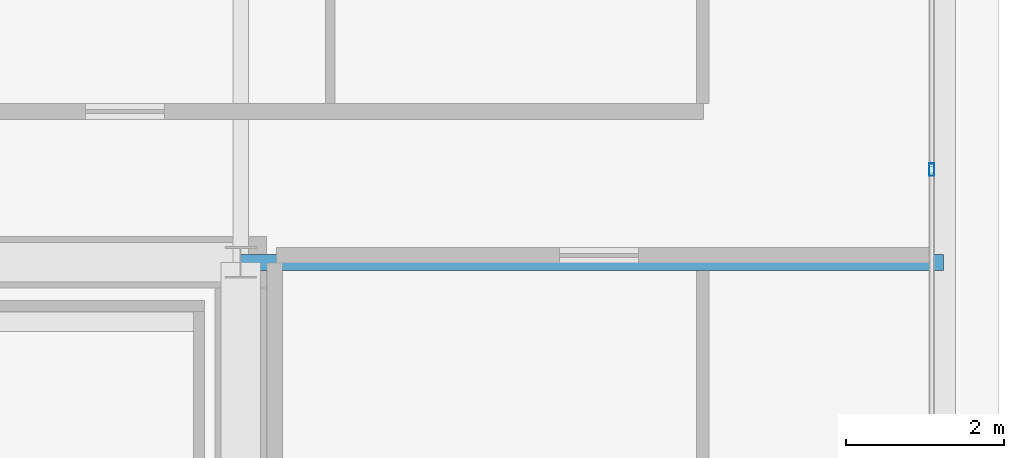
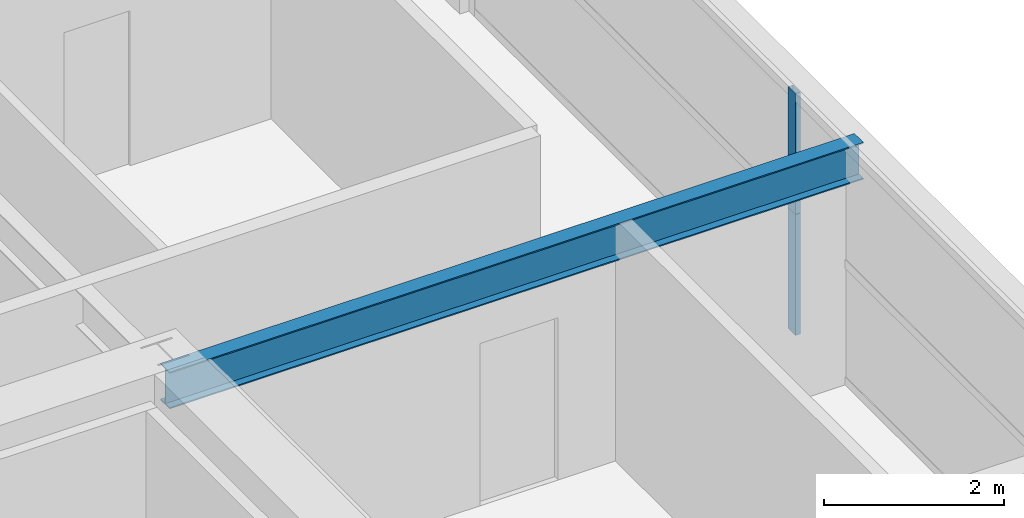
# One storey, part 28 of 45: 2 members, 1 beam, 1 element without a shape of its own.
"""IFC4 building model written with IfcOpenShell, lengths in metres."""

from ifc_helpers import new_model, si_unit, direction, frame, origin, origin_2d, place, context, subcontext, project, spatial, hollow_rectangle, i_section, extrude, source, transform, mapped, material, layer, layer_set, material_profile, profile_set, type_object, element, aggregate, save


model = new_model("IFC4")

# Units and contexts
model_context = context("Model", 3, precision=1e-05, world=origin(), true_north=direction((0.0, 1.0)))
body_context = subcontext(model_context, "Body", "Model", "MODEL_VIEW")
ifc_project = project(units=[si_unit("LENGTHUNIT", "METRE"), si_unit("AREAUNIT", "SQUARE_METRE"), si_unit("VOLUMEUNIT", "CUBIC_METRE"), si_unit("PLANEANGLEUNIT", "RADIAN"), si_unit("MASSUNIT", "GRAM", prefix="KILO"), si_unit("THERMODYNAMICTEMPERATUREUNIT", "KELVIN"), si_unit("POWERUNIT", "WATT")], contexts=[model_context])

# Site, building, storey
site_placement = place(None, origin())
site = spatial("IfcSite", under=ifc_project, at=site_placement, CompositionType="ELEMENT")
building_placement = place(site_placement, origin())
building = spatial("IfcBuilding", under=site, at=building_placement, Name="Yuzanri Waterfront Tower", CompositionType="ELEMENT")
storey_placement = place(building_placement, frame((0.0, 0.0, 212.5)))
storey = spatial("IfcBuildingStorey", under=building, at=storey_placement, Name="L56", CompositionType="ELEMENT", Elevation=212.5)

# Beam
ifc_material_1 = material(Name="Steel Q355B", Category="steel")
ifc_material_profile_1 = material_profile(ifc_material_1, i_section(OverallWidth=0.199951171875, OverallDepth=0.5, WebThickness=0.010009765625, FlangeThickness=0.01611328125, at=origin_2d()), Name="HN 500x200x10x16")
ifc_profile_set_1 = profile_set([ifc_material_profile_1], Name="Steel Q355B")
beam_type = type_object("IfcBeamType", Name="Secondary Floor Beam Q355B HN 500x200", PredefinedType="BEAM", material=ifc_profile_set_1)
shared_shape_1 = source(origin(), body_context, "Body", "SweptSolid", [
    extrude(i_section(OverallWidth=0.199951171875, OverallDepth=0.5, WebThickness=0.010009765625, FlangeThickness=0.01611328125, at=origin_2d()), origin(), (0.0, 0.0, 1.0), 8.900146484375),
])
beam_placement = place(storey_placement, frame((50.199951171875, 32.199951171875, 3.030029296875), z_axis=(1.0, 0.0, 0.0), x_axis=(0.0, 1.0, 0.0)))
element("IfcBeam", 1, at=beam_placement, inside=storey, type_object=beam_type, Name="L56 East-North Core Line Beam", PredefinedType="BEAM", context=body_context, shape_type="MappedRepresentation", body=[
    mapped(shared_shape_1, transform((0.0, 0.0, 0.0), scale=1.0)),
])

# Curtain wall, members
ifc_material_2 = material(Name="Anodized Architectural Bronze", Category="metal")
ifc_layer = layer(ifc_material_2, 0.159912109375)
ifc_layer_set = layer_set([ifc_layer], Name="Anodized Architectural Bronze")
curtain_wall_type = type_object("IfcCurtainWallType", Name="Anodized Bronze Mid-Rise Residential Acoustic Unitized Curtain Wall 7200", PredefinedType="NOTDEFINED", material=ifc_layer_set)
curtain_wall_placement = place(storey_placement, origin())
curtain_wall = element("IfcCurtainWall", 2, at=curtain_wall_placement, inside=storey, type_object=curtain_wall_type, Name="L56 Curtain Wall CW-L56-ER", PredefinedType="NOTDEFINED")
ifc_material_3 = material(Name="Anodized Architectural Bronze", Category="metal")
ifc_material_profile_2 = material_profile(ifc_material_3, hollow_rectangle(XDim=0.06494140625, YDim=0.159912109375, WallThickness=0.00341796875, at=origin_2d()), Name="CWM 65x160")
ifc_profile_set_2 = profile_set([ifc_material_profile_2], Name="Anodized Architectural Bronze")
member_type = type_object("IfcMemberType", Name="Anodized Bronze Upper-Zone Curtain-Wall Mullion 65x160", PredefinedType="MULLION", material=ifc_profile_set_2)
shared_shape_2 = source(origin(), body_context, "Body", "SweptSolid", [
    extrude(hollow_rectangle(XDim=0.06494140625, YDim=0.159912109375, WallThickness=0.00341796875, at=origin_2d()), origin(), (0.0, 0.0, 1.0), 1.637939453125),
])
member_1_placement = place(storey_placement, frame((58.949951171875, 33.375, 0.0), z_axis=(0.0, 0.0, 1.0), x_axis=(1.0, 0.0, 0.0)))
member_1 = element("IfcMember", 3, at=member_1_placement, type_object=member_type, Name="CW-L56-ER Lower Mullion 01", PredefinedType="MULLION", context=body_context, shape_type="MappedRepresentation", body=[
    mapped(shared_shape_2, transform((0.0, 0.0, 0.0), scale=1.0)),
])
member_2_placement = place(storey_placement, frame((58.949951171875, 33.375, 1.64208984375), z_axis=(0.0, 0.0, 1.0), x_axis=(1.0, 0.0, 0.0)))
member_2 = element("IfcMember", 4, at=member_2_placement, type_object=member_type, Name="CW-L56-ER Upper Mullion 01", PredefinedType="MULLION", context=body_context, shape_type="MappedRepresentation", body=[
    mapped(shared_shape_2, transform((0.0, 0.0, 0.0), scale=1.0)),
])
aggregate(curtain_wall, [member_1, member_2])

save(model, "model.ifc")
